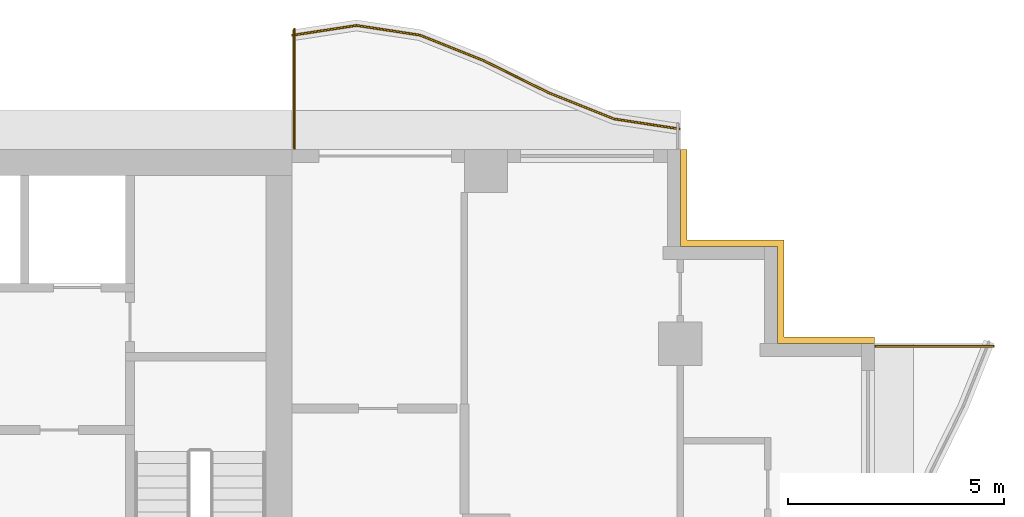
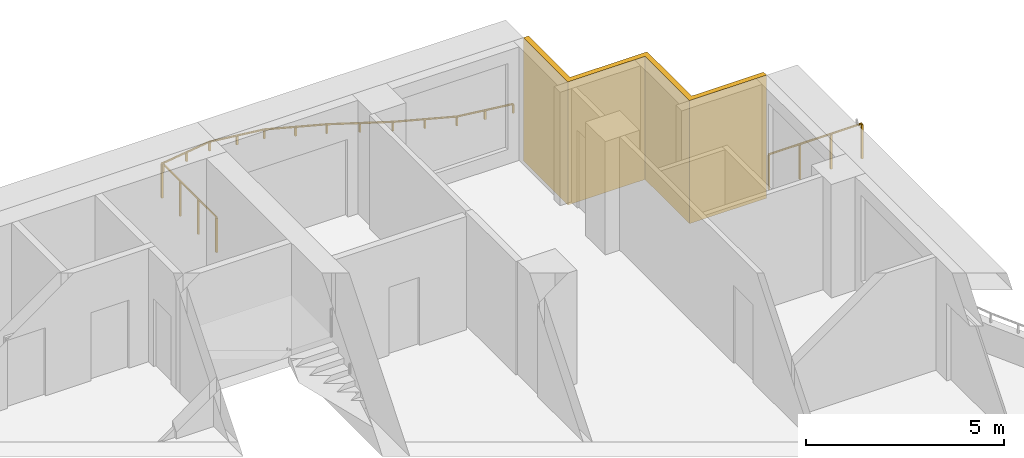
# One storey, part 12 of 12: 3 railings, 1 shading device.
"""IFC4 building model written with IfcOpenShell, lengths in metres."""

from ifc_helpers import new_model, si_unit, direction, frame, origin, origin_2d, place, context, subcontext, project, spatial, polyline, rectangle, outline, extrude, material, layer, layer_set, type_object, element, save


model = new_model("IFC4")

# Units and contexts
model_context = context("Model", 3, precision=1e-05, world=origin(), true_north=direction((0.0, 1.0)))
body_context = subcontext(model_context, "Body", "Model", "MODEL_VIEW")
ifc_project = project(units=[si_unit("LENGTHUNIT", "METRE"), si_unit("AREAUNIT", "SQUARE_METRE"), si_unit("VOLUMEUNIT", "CUBIC_METRE"), si_unit("PLANEANGLEUNIT", "RADIAN"), si_unit("MASSUNIT", "GRAM", prefix="KILO")], contexts=[model_context])

# Site, building, storey
site_placement = place(None, origin())
site = spatial("IfcSite", under=ifc_project, at=site_placement, CompositionType="ELEMENT")
building_placement = place(site_placement, origin())
building = spatial("IfcBuilding", under=site, at=building_placement, Name="Orbiselva Terraces", CompositionType="ELEMENT")
storey_placement = place(building_placement, frame((0.0, 0.0, 203.4)))
storey = spatial("IfcBuildingStorey", under=building, at=storey_placement, Name="L51", CompositionType="ELEMENT", Elevation=203.4)

# Railings
ifc_material_1 = material(Name="Bonded two-ply safety glass balustrade, stainless steel posts", Category="steel")
railing_type_1 = type_object("IfcRailingType", Name="ENV-BALUSTRADE-1200", PredefinedType="BALUSTRADE", material=ifc_material_1)
railing_1_placement = place(storey_placement, frame((22.481121, 22.976434, 0.9)))
element("IfcRailing", 1, at=railing_1_placement, inside=storey, type_object=railing_type_1, Name="Balcony balustrade L51 NE", PredefinedType="BALUSTRADE", context=body_context, shape_type="SweptSolid", body=[
    extrude(outline(polyline([(0.028868, 0.0), (0.014434, 0.025), (-0.014434, 0.025), (-0.028868, 0.0), (-0.014434, -0.025), (0.014434, -0.025), (0.028868, 0.0)])), frame((0.0, 0.0, 0.275), z_axis=(-0.988528588529, 0.151033869252, 0.0), x_axis=(-0.151033869252, -0.988528588529, 0.0)), (0.0, 0.0, 1.0), 1.531776),
    extrude(outline(polyline([(0.028868, 0.0), (0.014434, 0.025), (-0.014434, 0.025), (-0.028868, 0.0), (-0.014434, -0.025), (0.014434, -0.025), (0.028868, 0.0)])), frame((-1.514204, 0.23135, 0.275), z_axis=(-0.92847681744, 0.371390359967, 0.0), x_axis=(-0.371390359967, -0.92847681744, 0.0)), (0.0, 0.0, 1.0), 1.634838),
    extrude(outline(polyline([(0.028868, 0.0), (0.014434, 0.025), (-0.014434, 0.025), (-0.028868, 0.0), (-0.014434, -0.025), (0.014434, -0.025), (0.028868, 0.0)])), frame((-3.032113, 0.838513, 0.275), z_axis=(-0.896416672454, 0.443212307306, 0.0), x_axis=(-0.443212307306, -0.896416672454, 0.0)), (0.0, 0.0, 1.0), 1.673329),
    extrude(outline(polyline([(0.028868, 0.0), (0.014434, 0.025), (-0.014434, 0.025), (-0.028868, 0.0), (-0.014434, -0.025), (0.014434, -0.025), (0.028868, 0.0)])), frame((-4.532113, 1.580153, 0.275), z_axis=(-0.928476561272, 0.371391000387, 0.0), x_axis=(-0.371391000387, -0.928476561272, 0.0)), (0.0, 0.0, 1.0), 1.596261),
    extrude(outline(polyline([(0.028868, 0.0), (0.014434, 0.025), (-0.014434, 0.025), (-0.028868, 0.0), (-0.014434, -0.025), (0.014434, -0.025), (0.028868, 0.0)])), frame((-6.014204, 2.17299, 0.275), z_axis=(-0.988528606898, 0.151033749027, 0.0), x_axis=(-0.151033749027, -0.988528606898, 0.0)), (0.0, 0.0, 1.0), 1.48394),
    extrude(outline(polyline([(0.028868, 0.0), (0.014434, 0.025), (-0.014434, 0.025), (-0.028868, 0.0), (-0.014434, -0.025), (0.014434, -0.025), (0.028868, 0.0)])), frame((-7.481121, 2.397115, 0.275), z_axis=(-0.988528624669, -0.151033632714, 0.0), x_axis=(0.151033632714, -0.988528624669, 0.0)), (0.0, 0.0, 1.0), 1.498309),
    extrude(rectangle(XDim=0.05, YDim=0.05, at=origin_2d()), origin(), (0.0, 0.0, 1.0), 0.25),
    extrude(rectangle(XDim=0.05, YDim=0.05, at=origin_2d()), frame((-0.757102, 0.115675, 0.0)), (0.0, 0.0, 1.0), 0.25),
    extrude(rectangle(XDim=0.05, YDim=0.05, at=origin_2d()), frame((-1.514204, 0.23135, 0.0)), (0.0, 0.0, 1.0), 0.25),
    extrude(rectangle(XDim=0.05, YDim=0.05, at=origin_2d()), frame((-2.273159, 0.534931, 0.0)), (0.0, 0.0, 1.0), 0.25),
    extrude(rectangle(XDim=0.05, YDim=0.05, at=origin_2d()), frame((-3.032113, 0.838513, 0.0)), (0.0, 0.0, 1.0), 0.25),
    extrude(rectangle(XDim=0.05, YDim=0.05, at=origin_2d()), frame((-3.782113, 1.209333, 0.0)), (0.0, 0.0, 1.0), 0.25),
    extrude(rectangle(XDim=0.05, YDim=0.05, at=origin_2d()), frame((-4.532113, 1.580153, 0.0)), (0.0, 0.0, 1.0), 0.25),
    extrude(rectangle(XDim=0.05, YDim=0.05, at=origin_2d()), frame((-5.273159, 1.876571, 0.0)), (0.0, 0.0, 1.0), 0.25),
    extrude(rectangle(XDim=0.05, YDim=0.05, at=origin_2d()), frame((-6.014204, 2.17299, 0.0)), (0.0, 0.0, 1.0), 0.25),
    extrude(rectangle(XDim=0.05, YDim=0.05, at=origin_2d()), frame((-6.747663, 2.285052, 0.0)), (0.0, 0.0, 1.0), 0.25),
    extrude(rectangle(XDim=0.05, YDim=0.05, at=origin_2d()), frame((-7.481121, 2.397115, 0.0)), (0.0, 0.0, 1.0), 0.25),
    extrude(rectangle(XDim=0.05, YDim=0.05, at=origin_2d()), frame((-8.221682, 2.283967, 0.0)), (0.0, 0.0, 1.0), 0.25),
    extrude(rectangle(XDim=0.05, YDim=0.05, at=origin_2d()), frame((-8.962242, 2.17082, 0.0)), (0.0, 0.0, 1.0), 0.25),
])
ifc_material_2 = material(Name="Stainless steel rail and posts", Category="steel")
railing_type_2 = type_object("IfcRailingType", Name="ENV-GUARD-1105", PredefinedType="BALUSTRADE", material=ifc_material_2)
railing_2_placement = place(storey_placement, frame((29.752788, 17.94, 0.0)))
element("IfcRailing", 2, at=railing_2_placement, inside=storey, type_object=railing_type_2, Name="Balcony end guard L51 E", PredefinedType="BALUSTRADE", context=body_context, shape_type="SweptSolid", body=[
    extrude(outline(polyline([(0.028868, 0.0), (0.014434, 0.025), (-0.014434, 0.025), (-0.028868, 0.0), (-0.014434, -0.025), (0.014434, -0.025), (0.028868, 0.0)])), frame((0.0, 0.0, 1.08), z_axis=(-1.0, 0.0, 0.0), x_axis=(0.0, -1.0, 0.0)), (0.0, 0.0, 1.0), 2.727788),
    extrude(rectangle(XDim=0.05, YDim=0.05, at=origin_2d()), origin(), (0.0, 0.0, 1.0), 1.055),
    extrude(rectangle(XDim=0.05, YDim=0.05, at=origin_2d()), frame((-0.909263, 0.0, 0.0)), (0.0, 0.0, 1.0), 1.055),
    extrude(rectangle(XDim=0.05, YDim=0.05, at=origin_2d()), frame((-1.818525, 0.0, 0.0)), (0.0, 0.0, 1.0), 1.055),
    extrude(rectangle(XDim=0.05, YDim=0.05, at=origin_2d()), frame((-2.727788, 0.0, 0.0)), (0.0, 0.0, 1.0), 1.055),
])
railing_3_placement = place(storey_placement, frame((13.56, 25.288239, 0.0)))
element("IfcRailing", 3, at=railing_3_placement, inside=storey, type_object=railing_type_2, Name="Balcony end guard L51 NE", PredefinedType="BALUSTRADE", context=body_context, shape_type="SweptSolid", body=[
    extrude(outline(polyline([(0.028868, 0.0), (0.014434, 0.025), (-0.014434, 0.025), (-0.028868, 0.0), (-0.014434, -0.025), (0.014434, -0.025), (0.028868, 0.0)])), frame((0.0, 0.0, 1.08), z_axis=(0.0, -1.0, 0.0), x_axis=(1.0, 0.0, 0.0)), (0.0, 0.0, 1.0), 2.763239),
    extrude(rectangle(XDim=0.05, YDim=0.05, at=origin_2d()), origin(), (0.0, 0.0, 1.0), 1.055),
    extrude(rectangle(XDim=0.05, YDim=0.05, at=origin_2d()), frame((0.0, -0.92108, 0.0)), (0.0, 0.0, 1.0), 1.055),
    extrude(rectangle(XDim=0.05, YDim=0.05, at=origin_2d()), frame((0.0, -1.842159, 0.0)), (0.0, 0.0, 1.0), 1.055),
    extrude(rectangle(XDim=0.05, YDim=0.05, at=origin_2d()), frame((0.0, -2.763239, 0.0)), (0.0, 0.0, 1.0), 1.055),
])

# Shading device
ifc_material_3 = material(Name="Terracotta louvre screen", Category="masonry")
ifc_layer = layer(ifc_material_3, 0.15)
ifc_layer_set = layer_set([ifc_layer], Name="Terracotta louvre screen")
shading_device_type = type_object("IfcShadingDeviceType", Name="ENV-SCREEN-150", PredefinedType="USERDEFINED", material=ifc_layer_set)
shading_device_placement = place(storey_placement, frame((0.0, 0.0, -0.3)))
element("IfcShadingDevice", 4, at=shading_device_placement, inside=storey, type_object=shading_device_type, Name="Louvre screen L51 NE", ObjectType="SCREEN", PredefinedType="USERDEFINED", context=body_context, shape_type="SweptSolid", body=[
    extrude(outline(polyline([(27.0, 18.15), (24.9, 18.15), (24.9, 20.4), (22.65, 20.4), (22.65, 22.5), (22.5, 22.5), (22.5, 20.25), (24.75, 20.25), (24.75, 18.0), (27.0, 18.0), (27.0, 18.15)])), origin(), (0.0, 0.0, 1.0), 3.8),
])

save(model, "model.ifc")
